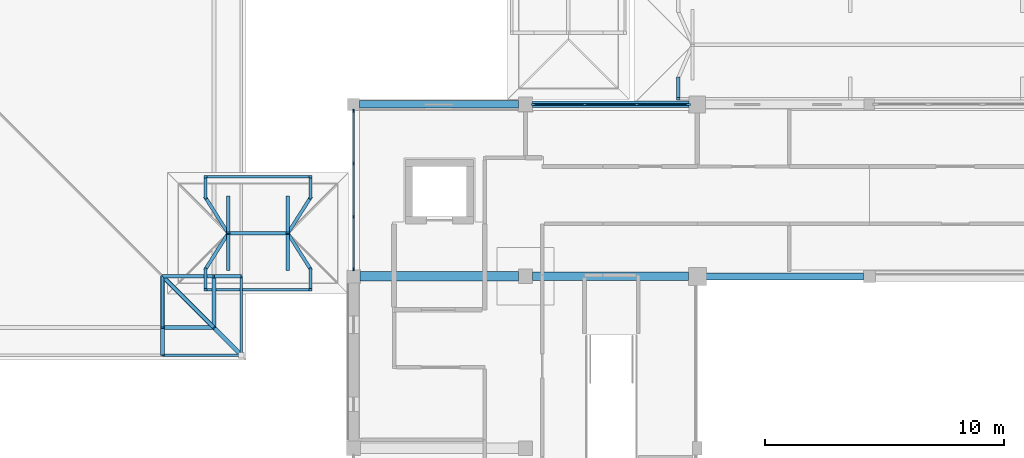
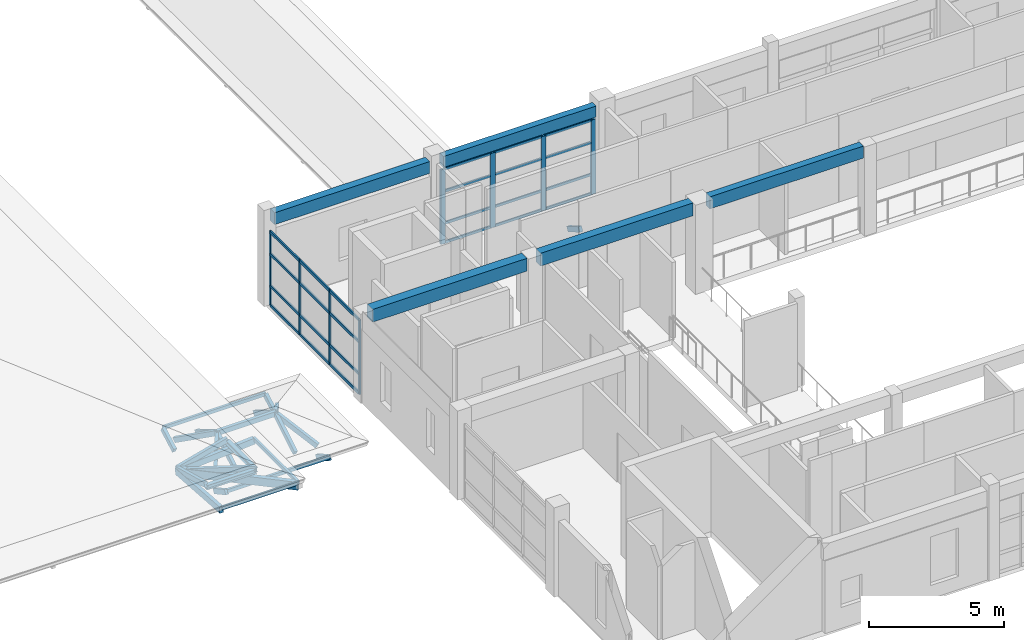
# One storey, part 7 of 110: 58 members, 5 beams, 2 elements without a shape of their own.
"""IFC4 building model written with IfcOpenShell, lengths in metres."""

from ifc_helpers import new_model, si_unit, direction, frame, origin, origin_2d, place, context, subcontext, project, spatial, rectangle, hollow_rectangle, i_section, extrude, material, material_profile, profile_set, type_object, element, aggregate, save


model = new_model("IFC4")

# Units and contexts
model_context = context("Model", 3, precision=1e-05, world=origin(), true_north=direction((0.0, 1.0)))
body_context = subcontext(model_context, "Body", "Model", "MODEL_VIEW")
ifc_project = project(units=[si_unit("LENGTHUNIT", "METRE"), si_unit("AREAUNIT", "SQUARE_METRE"), si_unit("VOLUMEUNIT", "CUBIC_METRE"), si_unit("PLANEANGLEUNIT", "RADIAN"), si_unit("MASSUNIT", "GRAM", prefix="KILO")], contexts=[model_context])

# Site, building, storey
site_placement = place(None, origin())
site = spatial("IfcSite", under=ifc_project, at=site_placement, CompositionType="ELEMENT")
building_placement = place(site_placement, origin())
building = spatial("IfcBuilding", under=site, at=building_placement, Name="Steenspoor Specialist Clinic", CompositionType="ELEMENT")
storey_placement = place(building_placement, frame((0.0, 0.0, 4.800048828125)))
storey = spatial("IfcBuildingStorey", under=building, at=storey_placement, Name="L01", CompositionType="ELEMENT", Elevation=4.800048828125)

# Beams
ifc_material_1 = material(Name="Concrete C35/45", Category="concrete")
ifc_material_profile_1 = material_profile(ifc_material_1, rectangle(XDim=0.300048828125, YDim=0.550048828125, at=origin_2d()), Name="RC-BM-300X550")
ifc_profile_set_1 = profile_set([ifc_material_profile_1], Name="Concrete C35/45")
beam_type_1 = type_object("IfcBeamType", Name="BM-RC-300X550", PredefinedType="BEAM", material=ifc_profile_set_1)
beam_1_placement = place(storey_placement, frame((59.969970703125, 34.64990234375, 3.760009765625), z_axis=(1.0, 0.0, 0.0), x_axis=(0.0, 1.0, 0.0)))
element("IfcBeam", 1, at=beam_1_placement, inside=storey, type_object=beam_type_1, Name="BM-V1-L01-X0136", PredefinedType="BEAM", context=body_context, shape_type="SweptSolid", body=[
    extrude(rectangle(XDim=0.300048828125, YDim=0.550048828125, at=origin_2d()), origin(), (0.0, 0.0, 1.0), 6.5849609375),
])
ifc_material_profile_2 = material_profile(ifc_material_1, rectangle(XDim=0.35009765625, YDim=0.580078125, at=origin_2d()), Name="RC-BM-350X580")
ifc_profile_set_2 = profile_set([ifc_material_profile_2], Name="Concrete C35/45")
beam_type_2 = type_object("IfcBeamType", Name="BM-RC-350X580", PredefinedType="BEAM", material=ifc_profile_set_2)
beam_2_placement = place(storey_placement, frame((52.695068359375, 34.64990234375, 3.744873046875), z_axis=(1.0, 0.0, 0.0), x_axis=(0.0, 1.0, 0.0)))
element("IfcBeam", 2, at=beam_2_placement, inside=storey, type_object=beam_type_2, Name="BM-V1-L01-X0135", PredefinedType="BEAM", context=body_context, shape_type="SweptSolid", body=[
    extrude(rectangle(XDim=0.35009765625, YDim=0.580078125, at=origin_2d()), origin(), (0.0, 0.0, 1.0), 6.534912109375),
])
ifc_material_profile_3 = material_profile(ifc_material_1, rectangle(XDim=0.39990234375, YDim=0.580078125, at=origin_2d()), Name="RC-BM-400X580")
ifc_profile_set_3 = profile_set([ifc_material_profile_3], Name="Concrete C35/45")
beam_type_3 = type_object("IfcBeamType", Name="BM-RC-400X580", PredefinedType="BEAM", material=ifc_profile_set_3)
beam_3_placement = place(storey_placement, frame((45.469970703125, 34.64990234375, 3.744873046875), z_axis=(1.0, 0.0, 0.0), x_axis=(0.0, 1.0, 0.0)))
element("IfcBeam", 3, at=beam_3_placement, inside=storey, type_object=beam_type_3, Name="BM-V1-L01-X0134", PredefinedType="BEAM", context=body_context, shape_type="SweptSolid", body=[
    extrude(rectangle(XDim=0.39990234375, YDim=0.580078125, at=origin_2d()), origin(), (0.0, 0.0, 1.0), 6.635009765625),
])

# Curtain wall, members
ifc_material_2 = material(Name="Thermally broken aluminium and low-emissivity glass", Category="aluminium")
curtain_wall_type_1 = type_object("IfcCurtainWallType", Name="CW-WLK-360X340", PredefinedType="USERDEFINED", material=ifc_material_2)
curtain_wall_1_placement = place(storey_placement, origin())
curtain_wall_1 = element("IfcCurtainWall", 4, at=curtain_wall_1_placement, inside=storey, type_object=curtain_wall_type_1, Name="Unitised Curtain Wall CW-V1-L01-022", ObjectType="UNITISED GLAZING", PredefinedType="USERDEFINED")
ifc_material_3 = material(Name="Thermally broken aluminium 6063-T6", Category="aluminium")
ifc_material_profile_4 = material_profile(ifc_material_3, rectangle(XDim=0.06005859375, YDim=0.135009765625, at=origin_2d()), Name="CWM-60X135")
ifc_profile_set_4 = profile_set([ifc_material_profile_4], Name="Thermally broken aluminium 6063-T6")
member_type_1 = type_object("IfcMemberType", Name="CW-MULL-60X135", PredefinedType="MULLION", material=ifc_profile_set_4)
member_1_placement = place(storey_placement, frame((45.199951171875, 34.955078125, 0.0), z_axis=(0.0, 0.0, 1.0), x_axis=(-1.0, 0.0, 0.0)))
member_1 = element("IfcMember", 5, at=member_1_placement, type_object=member_type_1, Name="CW-22 mullion 1", PredefinedType="MULLION", context=body_context, shape_type="SweptSolid", body=[
    extrude(rectangle(XDim=0.06005859375, YDim=0.135009765625, at=origin_2d()), origin(), (0.0, 0.0, 1.0), 3.3798828125),
])
member_2_placement = place(storey_placement, frame((45.199951171875, 37.14990234375, 0.0), z_axis=(0.0, 0.0, 1.0), x_axis=(-1.0, 0.0, 0.0)))
member_2 = element("IfcMember", 6, at=member_2_placement, type_object=member_type_1, Name="CW-22 mullion 2", PredefinedType="MULLION", context=body_context, shape_type="SweptSolid", body=[
    extrude(rectangle(XDim=0.06005859375, YDim=0.135009765625, at=origin_2d()), origin(), (0.0, 0.0, 1.0), 3.3798828125),
])
member_3_placement = place(storey_placement, frame((45.199951171875, 39.375, 0.0), z_axis=(0.0, 0.0, 1.0), x_axis=(-1.0, 0.0, 0.0)))
member_3 = element("IfcMember", 7, at=member_3_placement, type_object=member_type_1, Name="CW-22 mullion 3", PredefinedType="MULLION", context=body_context, shape_type="SweptSolid", body=[
    extrude(rectangle(XDim=0.06005859375, YDim=0.135009765625, at=origin_2d()), origin(), (0.0, 0.0, 1.0), 3.3798828125),
])
member_4_placement = place(storey_placement, frame((45.199951171875, 41.570068359375, 0.0), z_axis=(0.0, 0.0, 1.0), x_axis=(-1.0, 0.0, 0.0)))
member_4 = element("IfcMember", 8, at=member_4_placement, type_object=member_type_1, Name="CW-22 mullion 4", PredefinedType="MULLION", context=body_context, shape_type="SweptSolid", body=[
    extrude(rectangle(XDim=0.06005859375, YDim=0.135009765625, at=origin_2d()), origin(), (0.0, 0.0, 1.0), 3.3798828125),
])

curtain_wall_type_2 = type_object("IfcCurtainWallType", Name="CW-STR-220X355", PredefinedType="USERDEFINED", material=ifc_material_2)
curtain_wall_2_placement = place(storey_placement, origin())
curtain_wall_2 = element("IfcCurtainWall", 9, at=curtain_wall_2_placement, inside=storey, type_object=curtain_wall_type_2, Name="Unitised Curtain Wall CW-V1-L01-023", ObjectType="UNITISED GLAZING", PredefinedType="USERDEFINED")
ifc_material_profile_5 = material_profile(ifc_material_3, rectangle(XDim=0.090087890625, YDim=0.199951171875, at=origin_2d()), Name="CWM-90X200")
ifc_profile_set_5 = profile_set([ifc_material_profile_5], Name="Thermally broken aluminium 6063-T6")
member_type_2 = type_object("IfcMemberType", Name="CW-MULL-90X200", PredefinedType="MULLION", material=ifc_profile_set_5)
member_5_placement = place(storey_placement, frame((52.7451171875, 41.85009765625, 0.0), z_axis=(0.0, 0.0, 1.0), x_axis=(0.0, 1.0, 0.0)))
member_5 = element("IfcMember", 10, at=member_5_placement, type_object=member_type_2, Name="CW-23 mullion 1", PredefinedType="MULLION", context=body_context, shape_type="SweptSolid", body=[
    extrude(rectangle(XDim=0.090087890625, YDim=0.199951171875, at=origin_2d()), origin(), (0.0, 0.0, 1.0), 3.3798828125),
])
member_6_placement = place(storey_placement, frame((54.88330078125, 41.85009765625, 0.0), z_axis=(0.0, 0.0, 1.0), x_axis=(0.0, 1.0, 0.0)))
member_6 = element("IfcMember", 11, at=member_6_placement, type_object=member_type_2, Name="CW-23 mullion 2", PredefinedType="MULLION", context=body_context, shape_type="SweptSolid", body=[
    extrude(rectangle(XDim=0.090087890625, YDim=0.199951171875, at=origin_2d()), origin(), (0.0, 0.0, 1.0), 3.3798828125),
])
member_7_placement = place(storey_placement, frame((57.066650390625, 41.85009765625, 0.0), z_axis=(0.0, 0.0, 1.0), x_axis=(0.0, 1.0, 0.0)))
member_7 = element("IfcMember", 12, at=member_7_placement, type_object=member_type_2, Name="CW-23 mullion 3", PredefinedType="MULLION", context=body_context, shape_type="SweptSolid", body=[
    extrude(rectangle(XDim=0.090087890625, YDim=0.199951171875, at=origin_2d()), origin(), (0.0, 0.0, 1.0), 3.3798828125),
])
member_8_placement = place(storey_placement, frame((59.205078125, 41.85009765625, 0.0), z_axis=(0.0, 0.0, 1.0), x_axis=(0.0, 1.0, 0.0)))
member_8 = element("IfcMember", 13, at=member_8_placement, type_object=member_type_2, Name="CW-23 mullion 4", PredefinedType="MULLION", context=body_context, shape_type="SweptSolid", body=[
    extrude(rectangle(XDim=0.090087890625, YDim=0.199951171875, at=origin_2d()), origin(), (0.0, 0.0, 1.0), 3.3798828125),
])
ifc_material_profile_6 = material_profile(ifc_material_3, rectangle(XDim=0.06005859375, YDim=0.114990234375, at=origin_2d()), Name="CWT-60X115")
ifc_profile_set_6 = profile_set([ifc_material_profile_6], Name="Thermally broken aluminium 6063-T6")
member_type_3 = type_object("IfcMemberType", Name="CW-TRAN-60X115", PredefinedType="USERDEFINED", material=ifc_profile_set_6)
member_9_placement = place(storey_placement, frame((52.7900390625, 41.85009765625, 0.030029296875), z_axis=(1.0, 0.0, 0.0), x_axis=(0.0, 1.0, 0.0)))
member_9 = element("IfcMember", 14, at=member_9_placement, type_object=member_type_3, Name="CW-23 transom 1.1", ObjectType="TRANSOM", PredefinedType="USERDEFINED", context=body_context, shape_type="SweptSolid", body=[
    extrude(rectangle(XDim=0.06005859375, YDim=0.114990234375, at=origin_2d()), origin(), (0.0, 0.0, 1.0), 2.04833984375),
])
member_10_placement = place(storey_placement, frame((52.7900390625, 41.85009765625, 0.89990234375), z_axis=(1.0, 0.0, 0.0), x_axis=(0.0, 1.0, 0.0)))
member_10 = element("IfcMember", 15, at=member_10_placement, type_object=member_type_3, Name="CW-23 transom 1.2", ObjectType="TRANSOM", PredefinedType="USERDEFINED", context=body_context, shape_type="SweptSolid", body=[
    extrude(rectangle(XDim=0.06005859375, YDim=0.114990234375, at=origin_2d()), origin(), (0.0, 0.0, 1.0), 2.04833984375),
])
member_11_placement = place(storey_placement, frame((52.7900390625, 41.85009765625, 2.349853515625), z_axis=(1.0, 0.0, 0.0), x_axis=(0.0, 1.0, 0.0)))
member_11 = element("IfcMember", 16, at=member_11_placement, type_object=member_type_3, Name="CW-23 transom 1.3", ObjectType="TRANSOM", PredefinedType="USERDEFINED", context=body_context, shape_type="SweptSolid", body=[
    extrude(rectangle(XDim=0.06005859375, YDim=0.114990234375, at=origin_2d()), origin(), (0.0, 0.0, 1.0), 2.04833984375),
])
member_12_placement = place(storey_placement, frame((52.7900390625, 41.85009765625, 3.349853515625), z_axis=(1.0, 0.0, 0.0), x_axis=(0.0, 1.0, 0.0)))
member_12 = element("IfcMember", 17, at=member_12_placement, type_object=member_type_3, Name="CW-23 transom 1.4", ObjectType="TRANSOM", PredefinedType="USERDEFINED", context=body_context, shape_type="SweptSolid", body=[
    extrude(rectangle(XDim=0.06005859375, YDim=0.114990234375, at=origin_2d()), origin(), (0.0, 0.0, 1.0), 2.04833984375),
])
member_13_placement = place(storey_placement, frame((54.92822265625, 41.85009765625, 0.030029296875), z_axis=(1.0, 0.0, 0.0), x_axis=(0.0, 1.0, 0.0)))
member_13 = element("IfcMember", 18, at=member_13_placement, type_object=member_type_3, Name="CW-23 transom 2.1", ObjectType="TRANSOM", PredefinedType="USERDEFINED", context=body_context, shape_type="SweptSolid", body=[
    extrude(rectangle(XDim=0.06005859375, YDim=0.114990234375, at=origin_2d()), origin(), (0.0, 0.0, 1.0), 2.093505859375),
])
member_14_placement = place(storey_placement, frame((54.92822265625, 41.85009765625, 0.89990234375), z_axis=(1.0, 0.0, 0.0), x_axis=(0.0, 1.0, 0.0)))
member_14 = element("IfcMember", 19, at=member_14_placement, type_object=member_type_3, Name="CW-23 transom 2.2", ObjectType="TRANSOM", PredefinedType="USERDEFINED", context=body_context, shape_type="SweptSolid", body=[
    extrude(rectangle(XDim=0.06005859375, YDim=0.114990234375, at=origin_2d()), origin(), (0.0, 0.0, 1.0), 2.093505859375),
])
member_15_placement = place(storey_placement, frame((54.92822265625, 41.85009765625, 2.349853515625), z_axis=(1.0, 0.0, 0.0), x_axis=(0.0, 1.0, 0.0)))
member_15 = element("IfcMember", 20, at=member_15_placement, type_object=member_type_3, Name="CW-23 transom 2.3", ObjectType="TRANSOM", PredefinedType="USERDEFINED", context=body_context, shape_type="SweptSolid", body=[
    extrude(rectangle(XDim=0.06005859375, YDim=0.114990234375, at=origin_2d()), origin(), (0.0, 0.0, 1.0), 2.093505859375),
])
member_16_placement = place(storey_placement, frame((54.92822265625, 41.85009765625, 3.349853515625), z_axis=(1.0, 0.0, 0.0), x_axis=(0.0, 1.0, 0.0)))
member_16 = element("IfcMember", 21, at=member_16_placement, type_object=member_type_3, Name="CW-23 transom 2.4", ObjectType="TRANSOM", PredefinedType="USERDEFINED", context=body_context, shape_type="SweptSolid", body=[
    extrude(rectangle(XDim=0.06005859375, YDim=0.114990234375, at=origin_2d()), origin(), (0.0, 0.0, 1.0), 2.093505859375),
])
member_17_placement = place(storey_placement, frame((57.111572265625, 41.85009765625, 0.030029296875), z_axis=(1.0, 0.0, 0.0), x_axis=(0.0, 1.0, 0.0)))
member_17 = element("IfcMember", 22, at=member_17_placement, type_object=member_type_3, Name="CW-23 transom 3.1", ObjectType="TRANSOM", PredefinedType="USERDEFINED", context=body_context, shape_type="SweptSolid", body=[
    extrude(rectangle(XDim=0.06005859375, YDim=0.114990234375, at=origin_2d()), origin(), (0.0, 0.0, 1.0), 2.04833984375),
])
member_18_placement = place(storey_placement, frame((57.111572265625, 41.85009765625, 0.89990234375), z_axis=(1.0, 0.0, 0.0), x_axis=(0.0, 1.0, 0.0)))
member_18 = element("IfcMember", 23, at=member_18_placement, type_object=member_type_3, Name="CW-23 transom 3.2", ObjectType="TRANSOM", PredefinedType="USERDEFINED", context=body_context, shape_type="SweptSolid", body=[
    extrude(rectangle(XDim=0.06005859375, YDim=0.114990234375, at=origin_2d()), origin(), (0.0, 0.0, 1.0), 2.04833984375),
])
member_19_placement = place(storey_placement, frame((57.111572265625, 41.85009765625, 2.349853515625), z_axis=(1.0, 0.0, 0.0), x_axis=(0.0, 1.0, 0.0)))
member_19 = element("IfcMember", 24, at=member_19_placement, type_object=member_type_3, Name="CW-23 transom 3.3", ObjectType="TRANSOM", PredefinedType="USERDEFINED", context=body_context, shape_type="SweptSolid", body=[
    extrude(rectangle(XDim=0.06005859375, YDim=0.114990234375, at=origin_2d()), origin(), (0.0, 0.0, 1.0), 2.04833984375),
])
member_20_placement = place(storey_placement, frame((57.111572265625, 41.85009765625, 3.349853515625), z_axis=(1.0, 0.0, 0.0), x_axis=(0.0, 1.0, 0.0)))
member_20 = element("IfcMember", 25, at=member_20_placement, type_object=member_type_3, Name="CW-23 transom 3.4", ObjectType="TRANSOM", PredefinedType="USERDEFINED", context=body_context, shape_type="SweptSolid", body=[
    extrude(rectangle(XDim=0.06005859375, YDim=0.114990234375, at=origin_2d()), origin(), (0.0, 0.0, 1.0), 2.04833984375),
])
aggregate(curtain_wall_2, [member_5, member_6, member_7, member_8, member_9, member_10, member_11, member_12, member_13, member_14, member_15, member_16, member_17, member_18, member_19, member_20])

# Member
ifc_material_profile_7 = material_profile(ifc_material_3, rectangle(XDim=0.06494140625, YDim=0.1298828125, at=origin_2d()), Name="CWT-65X130")
ifc_profile_set_7 = profile_set([ifc_material_profile_7], Name="Thermally broken aluminium 6063-T6")
member_type_4 = type_object("IfcMemberType", Name="CW-TRAN-65X130", PredefinedType="USERDEFINED", material=ifc_profile_set_7)
member_21_placement = place(storey_placement, frame((45.199951171875, 34.985107421875, 0.032470703125), z_axis=(0.0, 1.0, 0.0), x_axis=(-1.0, 0.0, 0.0)))
member_21 = element("IfcMember", 26, at=member_21_placement, type_object=member_type_4, Name="CW-22 transom 1.1", ObjectType="TRANSOM", PredefinedType="USERDEFINED", context=body_context, shape_type="SweptSolid", body=[
    extrude(rectangle(XDim=0.06494140625, YDim=0.1298828125, at=origin_2d()), origin(), (0.0, 0.0, 1.0), 2.135009765625),
])

member_22_placement = place(storey_placement, frame((45.199951171875, 34.985107421875, 0.89990234375), z_axis=(0.0, 1.0, 0.0), x_axis=(-1.0, 0.0, 0.0)))
member_22 = element("IfcMember", 27, at=member_22_placement, type_object=member_type_4, Name="CW-22 transom 1.2", ObjectType="TRANSOM", PredefinedType="USERDEFINED", context=body_context, shape_type="SweptSolid", body=[
    extrude(rectangle(XDim=0.06494140625, YDim=0.1298828125, at=origin_2d()), origin(), (0.0, 0.0, 1.0), 2.135009765625),
])

member_23_placement = place(storey_placement, frame((45.199951171875, 34.985107421875, 2.349853515625), z_axis=(0.0, 1.0, 0.0), x_axis=(-1.0, 0.0, 0.0)))
member_23 = element("IfcMember", 28, at=member_23_placement, type_object=member_type_4, Name="CW-22 transom 1.3", ObjectType="TRANSOM", PredefinedType="USERDEFINED", context=body_context, shape_type="SweptSolid", body=[
    extrude(rectangle(XDim=0.06494140625, YDim=0.1298828125, at=origin_2d()), origin(), (0.0, 0.0, 1.0), 2.135009765625),
])

member_24_placement = place(storey_placement, frame((45.199951171875, 34.985107421875, 3.347412109375), z_axis=(0.0, 1.0, 0.0), x_axis=(-1.0, 0.0, 0.0)))
member_24 = element("IfcMember", 29, at=member_24_placement, type_object=member_type_4, Name="CW-22 transom 1.4", ObjectType="TRANSOM", PredefinedType="USERDEFINED", context=body_context, shape_type="SweptSolid", body=[
    extrude(rectangle(XDim=0.06494140625, YDim=0.1298828125, at=origin_2d()), origin(), (0.0, 0.0, 1.0), 2.135009765625),
])

member_25_placement = place(storey_placement, frame((45.199951171875, 37.179931640625, 0.032470703125), z_axis=(0.0, 1.0, 0.0), x_axis=(-1.0, 0.0, 0.0)))
member_25 = element("IfcMember", 30, at=member_25_placement, type_object=member_type_4, Name="CW-22 transom 2.1", ObjectType="TRANSOM", PredefinedType="USERDEFINED", context=body_context, shape_type="SweptSolid", body=[
    extrude(rectangle(XDim=0.06494140625, YDim=0.1298828125, at=origin_2d()), origin(), (0.0, 0.0, 1.0), 2.1650390625),
])

member_26_placement = place(storey_placement, frame((45.199951171875, 37.179931640625, 0.89990234375), z_axis=(0.0, 1.0, 0.0), x_axis=(-1.0, 0.0, 0.0)))
member_26 = element("IfcMember", 31, at=member_26_placement, type_object=member_type_4, Name="CW-22 transom 2.2", ObjectType="TRANSOM", PredefinedType="USERDEFINED", context=body_context, shape_type="SweptSolid", body=[
    extrude(rectangle(XDim=0.06494140625, YDim=0.1298828125, at=origin_2d()), origin(), (0.0, 0.0, 1.0), 2.1650390625),
])

member_27_placement = place(storey_placement, frame((45.199951171875, 37.179931640625, 2.349853515625), z_axis=(0.0, 1.0, 0.0), x_axis=(-1.0, 0.0, 0.0)))
member_27 = element("IfcMember", 32, at=member_27_placement, type_object=member_type_4, Name="CW-22 transom 2.3", ObjectType="TRANSOM", PredefinedType="USERDEFINED", context=body_context, shape_type="SweptSolid", body=[
    extrude(rectangle(XDim=0.06494140625, YDim=0.1298828125, at=origin_2d()), origin(), (0.0, 0.0, 1.0), 2.1650390625),
])

member_28_placement = place(storey_placement, frame((45.199951171875, 37.179931640625, 3.347412109375), z_axis=(0.0, 1.0, 0.0), x_axis=(-1.0, 0.0, 0.0)))
member_28 = element("IfcMember", 33, at=member_28_placement, type_object=member_type_4, Name="CW-22 transom 2.4", ObjectType="TRANSOM", PredefinedType="USERDEFINED", context=body_context, shape_type="SweptSolid", body=[
    extrude(rectangle(XDim=0.06494140625, YDim=0.1298828125, at=origin_2d()), origin(), (0.0, 0.0, 1.0), 2.1650390625),
])

member_29_placement = place(storey_placement, frame((45.199951171875, 39.405029296875, 0.032470703125), z_axis=(0.0, 1.0, 0.0), x_axis=(-1.0, 0.0, 0.0)))
member_29 = element("IfcMember", 34, at=member_29_placement, type_object=member_type_4, Name="CW-22 transom 3.1", ObjectType="TRANSOM", PredefinedType="USERDEFINED", context=body_context, shape_type="SweptSolid", body=[
    extrude(rectangle(XDim=0.06494140625, YDim=0.1298828125, at=origin_2d()), origin(), (0.0, 0.0, 1.0), 2.135009765625),
])

member_30_placement = place(storey_placement, frame((45.199951171875, 39.405029296875, 0.89990234375), z_axis=(0.0, 1.0, 0.0), x_axis=(-1.0, 0.0, 0.0)))
member_30 = element("IfcMember", 35, at=member_30_placement, type_object=member_type_4, Name="CW-22 transom 3.2", ObjectType="TRANSOM", PredefinedType="USERDEFINED", context=body_context, shape_type="SweptSolid", body=[
    extrude(rectangle(XDim=0.06494140625, YDim=0.1298828125, at=origin_2d()), origin(), (0.0, 0.0, 1.0), 2.135009765625),
])

member_31_placement = place(storey_placement, frame((45.199951171875, 39.405029296875, 2.349853515625), z_axis=(0.0, 1.0, 0.0), x_axis=(-1.0, 0.0, 0.0)))
member_31 = element("IfcMember", 36, at=member_31_placement, type_object=member_type_4, Name="CW-22 transom 3.3", ObjectType="TRANSOM", PredefinedType="USERDEFINED", context=body_context, shape_type="SweptSolid", body=[
    extrude(rectangle(XDim=0.06494140625, YDim=0.1298828125, at=origin_2d()), origin(), (0.0, 0.0, 1.0), 2.135009765625),
])

member_32_placement = place(storey_placement, frame((45.199951171875, 39.405029296875, 3.347412109375), z_axis=(0.0, 1.0, 0.0), x_axis=(-1.0, 0.0, 0.0)))
member_32 = element("IfcMember", 37, at=member_32_placement, type_object=member_type_4, Name="CW-22 transom 3.4", ObjectType="TRANSOM", PredefinedType="USERDEFINED", context=body_context, shape_type="SweptSolid", body=[
    extrude(rectangle(XDim=0.06494140625, YDim=0.1298828125, at=origin_2d()), origin(), (0.0, 0.0, 1.0), 2.135009765625),
])

aggregate(curtain_wall_1, [member_1, member_2, member_3, member_4, member_21, member_22, member_23, member_24, member_25, member_26, member_27, member_28, member_29, member_30, member_31, member_32])

# Members
ifc_material_4 = material(Name="Steel A500 Grade C", Category="steel")
ifc_material_profile_8 = material_profile(ifc_material_4, hollow_rectangle(XDim=0.1015625, YDim=0.15234375, WallThickness=0.005859375, at=origin_2d()), Name="HSS152X102X6.4")
ifc_profile_set_8 = profile_set([ifc_material_profile_8], Name="Steel A500 Grade C")
member_type_5 = type_object("IfcMemberType", Name="MEM-PURLIN-H152", PredefinedType="PURLIN", material=ifc_profile_set_8)
member_33_placement = place(storey_placement, frame((37.199951171875, 31.35009765625, -0.195068359375), z_axis=(1.0, 0.0, 0.0), x_axis=(0.0, 1.0, 0.0)))
element("IfcMember", 38, at=member_33_placement, inside=storey, type_object=member_type_5, Name="ROOF TRUSS Eave Fascia 150", PredefinedType="PURLIN", context=body_context, shape_type="SweptSolid", body=[
    extrude(hollow_rectangle(XDim=0.1015625, YDim=0.15234375, WallThickness=0.005859375, at=origin_2d()), origin(), (0.0, 0.0, 1.0), 3.300048828125),
])
member_34_placement = place(storey_placement, frame((40.5, 31.35009765625, -0.195068359375), z_axis=(0.0, 1.0, 0.0), x_axis=(-1.0, 0.0, 0.0)))
element("IfcMember", 39, at=member_34_placement, inside=storey, type_object=member_type_5, Name="ROOF TRUSS Eave Fascia 160", PredefinedType="PURLIN", context=body_context, shape_type="SweptSolid", body=[
    extrude(hollow_rectangle(XDim=0.1015625, YDim=0.15234375, WallThickness=0.005859375, at=origin_2d()), origin(), (0.0, 0.0, 1.0), 3.2998046875),
])
for number, where, z_axis, x_axis, name in (
    (40, (39.0, 34.080078125, -1.699951171875), (1.0, 0.0, 0.0), (0.0, 1.0, 0.0), "Walkway Fascia WK3 580"),
    (41, (39.0, 38.820068359375, -1.699951171875), (1.0, 0.0, 0.0), (0.0, 1.0, 0.0), "Walkway Fascia WK3 581"),
):
    element("IfcMember", number, at=place(storey_placement, frame(where, z_axis=z_axis, x_axis=x_axis)), inside=storey, type_object=member_type_5, Name=name, PredefinedType="PURLIN", context=body_context, shape_type="SweptSolid", body=[
        extrude(hollow_rectangle(XDim=0.1015625, YDim=0.15234375, WallThickness=0.005859375, at=origin_2d()), origin(), (0.0, 0.0, 1.0), 4.39990234375),
    ])
ifc_material_5 = material(Name="Steel A992 Grade 50", Category="steel")
ifc_material_profile_9 = material_profile(ifc_material_5, i_section(OverallWidth=0.1650390625, OverallDepth=0.200927734375, WebThickness=0.006103515625, FlangeThickness=0.01025390625, at=origin_2d()), Name="W200X36")
ifc_profile_set_9 = profile_set([ifc_material_profile_9], Name="Steel A992 Grade 50")
member_type_6 = type_object("IfcMemberType", Name="MEM-PURLIN-W200", PredefinedType="PURLIN", material=ifc_profile_set_9)
member_35_placement = place(storey_placement, frame((37.199951171875, 32.5, 0.0703125), z_axis=(1.0, 0.0, 0.0), x_axis=(0.0, 1.0, 0.0)))
element("IfcMember", 42, at=member_35_placement, inside=storey, type_object=member_type_6, Name="ROOF TRUSS Knuckle Purlin 173", PredefinedType="PURLIN", context=body_context, shape_type="SweptSolid", body=[
    extrude(i_section(OverallWidth=0.1650390625, OverallDepth=0.200927734375, WebThickness=0.006103515625, FlangeThickness=0.01025390625, at=origin_2d()), origin(), (0.0, 0.0, 1.0), 2.150146484375),
])
member_36_placement = place(storey_placement, frame((39.35009765625, 32.5, 0.0703125), z_axis=(0.0, 1.0, 0.0), x_axis=(-1.0, 0.0, 0.0)))
element("IfcMember", 43, at=member_36_placement, inside=storey, type_object=member_type_6, Name="ROOF TRUSS Knuckle Purlin 178", PredefinedType="PURLIN", context=body_context, shape_type="SweptSolid", body=[
    extrude(i_section(OverallWidth=0.1650390625, OverallDepth=0.200927734375, WebThickness=0.006103515625, FlangeThickness=0.01025390625, at=origin_2d()), origin(), (0.0, 0.0, 1.0), 2.14990234375),
])
ifc_material_6 = material(Name="Glulam GL28h", Category="wood")
ifc_material_profile_10 = material_profile(ifc_material_6, rectangle(XDim=0.139892578125, YDim=0.219970703125, at=origin_2d()), Name="GL28H-140X220")
ifc_profile_set_10 = profile_set([ifc_material_profile_10], Name="Glulam GL28h")
member_type_7 = type_object("IfcMemberType", Name="MEM-RAFTER-GL220", PredefinedType="RAFTER", material=ifc_profile_set_10)
member_37_placement = place(storey_placement, frame((37.199951171875, 34.64990234375, -0.40283203125), z_axis=(0.0, -0.965556448109, 0.260193669244), x_axis=(1.0, 0.0, 0.0)))
element("IfcMember", 44, at=member_37_placement, inside=storey, type_object=member_type_7, Name="ROOF TRUSS Knuckle Rafter V3 96", PredefinedType="RAFTER", context=body_context, shape_type="SweptSolid", body=[
    extrude(rectangle(XDim=0.139892578125, YDim=0.219970703125, at=origin_2d()), origin(), (0.0, 0.0, 1.0), 2.2265625),
])
member_38_placement = place(storey_placement, frame((37.199951171875, 34.64990234375, -0.40283203125), z_axis=(0.965563870152, 0.0, 0.260166125113), x_axis=(0.0, 1.0, 0.0)))
element("IfcMember", 45, at=member_38_placement, inside=storey, type_object=member_type_7, Name="ROOF TRUSS Knuckle Rafter V3 104", PredefinedType="RAFTER", context=body_context, shape_type="SweptSolid", body=[
    extrude(rectangle(XDim=0.139892578125, YDim=0.219970703125, at=origin_2d()), origin(), (0.0, 0.0, 1.0), 2.226806640625),
])
member_39_placement = place(storey_placement, frame((37.199951171875, 34.64990234375, -0.5), z_axis=(0.690267938304, -0.690189561111, 0.217183201662), x_axis=(0.707066633179, 0.707146926915, 0.0)))
element("IfcMember", 46, at=member_39_placement, inside=storey, type_object=member_type_7, Name="ROOF TRUSS Corner Knuckle Rafter V3 112", PredefinedType="RAFTER", context=body_context, shape_type="SweptSolid", body=[
    extrude(rectangle(XDim=0.139892578125, YDim=0.219970703125, at=origin_2d()), origin(), (0.0, 0.0, 1.0), 3.114990234375),
])
member_40_placement = place(storey_placement, frame((39.0, 34.949951171875, -2.215087890625), z_axis=(0.0, -0.878149761853, 0.478385823115), x_axis=(1.0, 0.0, 0.0)))
element("IfcMember", 47, at=member_40_placement, inside=storey, type_object=member_type_7, Name="Walkway Eave Outrigger WK3 405", PredefinedType="RAFTER", context=body_context, shape_type="SweptSolid", body=[
    extrude(rectangle(XDim=0.139892578125, YDim=0.219970703125, at=origin_2d()), origin(), (0.0, 0.0, 1.0), 0.990478515625),
])
member_41_placement = place(storey_placement, frame((39.0, 37.949951171875, -2.215087890625), z_axis=(0.0, 0.878206147477, 0.478282304224), x_axis=(-1.0, 0.0, 0.0)))
element("IfcMember", 48, at=member_41_placement, inside=storey, type_object=member_type_7, Name="Walkway Eave Outrigger WK3 406", PredefinedType="RAFTER", context=body_context, shape_type="SweptSolid", body=[
    extrude(rectangle(XDim=0.139892578125, YDim=0.219970703125, at=origin_2d()), origin(), (0.0, 0.0, 1.0), 0.99072265625),
])
member_42_placement = place(storey_placement, frame((43.39990234375, 34.949951171875, -2.215087890625), z_axis=(0.0, -0.878149761853, 0.478385823115), x_axis=(1.0, 0.0, 0.0)))
element("IfcMember", 49, at=member_42_placement, inside=storey, type_object=member_type_7, Name="Walkway Eave Outrigger WK3 407", PredefinedType="RAFTER", context=body_context, shape_type="SweptSolid", body=[
    extrude(rectangle(XDim=0.139892578125, YDim=0.219970703125, at=origin_2d()), origin(), (0.0, 0.0, 1.0), 0.990478515625),
])
member_43_placement = place(storey_placement, frame((43.39990234375, 37.949951171875, -2.215087890625), z_axis=(0.0, 0.878206147477, 0.478282304224), x_axis=(-1.0, 0.0, 0.0)))
element("IfcMember", 50, at=member_43_placement, inside=storey, type_object=member_type_7, Name="Walkway Eave Outrigger WK3 408", PredefinedType="RAFTER", context=body_context, shape_type="SweptSolid", body=[
    extrude(rectangle(XDim=0.139892578125, YDim=0.219970703125, at=origin_2d()), origin(), (0.0, 0.0, 1.0), 0.99072265625),
])
member_44_placement = place(storey_placement, frame((39.949951171875, 36.449951171875, -0.81884765625), z_axis=(1.0, 0.0, 0.0), x_axis=(0.0, 1.0, 0.0)))
element("IfcMember", 51, at=member_44_placement, inside=storey, type_object=member_type_7, Name="Walkway Ridge Rafter WK3", PredefinedType="RAFTER", context=body_context, shape_type="SweptSolid", body=[
    extrude(rectangle(XDim=0.139892578125, YDim=0.219970703125, at=origin_2d()), origin(), (0.0, 0.0, 1.0), 2.5),
])
for number, where, z_axis, x_axis, name in (
    (52, (39.949951171875, 34.949951171875, -1.715087890625), (0.0, 0.858440741445, 0.512912754206), (-1.0, 0.0, 0.0), "Walkway Rafter WK3"),
    (53, (39.949951171875, 37.949951171875, -1.715087890625), (0.0, -0.858440741445, 0.512912754206), (1.0, 0.0, 0.0), "Walkway Rafter WK3"),
    (54, (42.449951171875, 34.949951171875, -1.715087890625), (0.0, 0.858440741445, 0.512912754206), (-1.0, 0.0, 0.0), "Walkway Rafter WK3"),
    (55, (42.449951171875, 37.949951171875, -1.715087890625), (0.0, -0.858440741445, 0.512912754206), (1.0, 0.0, 0.0), "Walkway Rafter WK3"),
):
    element("IfcMember", number, at=place(storey_placement, frame(where, z_axis=z_axis, x_axis=x_axis)), inside=storey, type_object=member_type_7, Name=name, PredefinedType="RAFTER", context=body_context, shape_type="SweptSolid", body=[
        extrude(rectangle(XDim=0.139892578125, YDim=0.219970703125, at=origin_2d()), origin(), (0.0, 0.0, 1.0), 1.747314453125),
    ])
for number, where, z_axis, x_axis, name in (
    (56, (39.0, 34.949951171875, -1.715087890625), (0.477630603778, 0.754192348911, 0.450625018368), (-0.8448315064, 0.535032453028, 0.0), "Walkway Hip Rafter WK3"),
    (57, (39.0, 37.949951171875, -1.715087890625), (0.477630603778, -0.754192348911, 0.450625018368), (0.8448315064, 0.535032453028, 0.0), "Walkway Hip Rafter WK3"),
    (58, (43.39990234375, 34.949951171875, -1.715087890625), (-0.477630603778, 0.754192348911, 0.450625018368), (-0.8448315064, -0.535032453028, 0.0), "Walkway Hip Rafter WK3"),
    (59, (43.39990234375, 37.949951171875, -1.715087890625), (-0.477630603778, -0.754192348911, 0.450625018368), (0.8448315064, -0.535032453028, 0.0), "Walkway Hip Rafter WK3"),
):
    element("IfcMember", number, at=place(storey_placement, frame(where, z_axis=z_axis, x_axis=x_axis)), inside=storey, type_object=member_type_7, Name=name, PredefinedType="RAFTER", context=body_context, shape_type="SweptSolid", body=[
        extrude(rectangle(XDim=0.139892578125, YDim=0.219970703125, at=origin_2d()), origin(), (0.0, 0.0, 1.0), 1.98876953125),
    ])
member_45_placement = place(storey_placement, frame((58.800048828125, 42.949951171875, -2.114990234375), z_axis=(0.0, -0.865930570761, 0.500164219654), x_axis=(1.0, 0.0, 0.0)))
element("IfcMember", 60, at=member_45_placement, inside=storey, type_object=member_type_7, Name="Walkway Eave Outrigger WK5 427", PredefinedType="RAFTER", context=body_context, shape_type="SweptSolid", body=[
    extrude(rectangle(XDim=0.139892578125, YDim=0.219970703125, at=origin_2d()), origin(), (0.0, 0.0, 1.0), 1.004638671875),
])
ifc_material_profile_11 = material_profile(ifc_material_6, rectangle(XDim=0.159912109375, YDim=0.280029296875, at=origin_2d()), Name="GL28H-160X280")
ifc_profile_set_11 = profile_set([ifc_material_profile_11], Name="Glulam GL28h")
member_type_8 = type_object("IfcMemberType", Name="MEM-RAFTER-GL280", PredefinedType="RAFTER", material=ifc_profile_set_11)
member_46_placement = place(storey_placement, frame((37.199951171875, 34.64990234375, -0.5), z_axis=(0.0, -0.997518288162, 0.070407846027), x_axis=(1.0, 0.0, 0.0)))
element("IfcMember", 61, at=member_46_placement, inside=storey, type_object=member_type_8, Name="ROOF TRUSS Flared Eave Glulam Outrigger V3 95", PredefinedType="RAFTER", context=body_context, shape_type="SweptSolid", body=[
    extrude(rectangle(XDim=0.159912109375, YDim=0.280029296875, at=origin_2d()), origin(), (0.0, 0.0, 1.0), 3.30810546875),
])
member_47_placement = place(storey_placement, frame((37.199951171875, 34.64990234375, -0.5), z_axis=(0.997518653982, 0.0, 0.070402663009), x_axis=(0.0, 1.0, 0.0)))
element("IfcMember", 62, at=member_47_placement, inside=storey, type_object=member_type_8, Name="ROOF TRUSS Flared Eave Glulam Outrigger V3 103", PredefinedType="RAFTER", context=body_context, shape_type="SweptSolid", body=[
    extrude(rectangle(XDim=0.159912109375, YDim=0.280029296875, at=origin_2d()), origin(), (0.0, 0.0, 1.0), 3.308349609375),
])
ifc_material_profile_12 = material_profile(ifc_material_6, rectangle(XDim=0.179931640625, YDim=0.360107421875, at=origin_2d()), Name="GL28H-180X360")
ifc_profile_set_12 = profile_set([ifc_material_profile_12], Name="Glulam GL28h")
member_type_9 = type_object("IfcMemberType", Name="MEM-RAFTER-GL360", PredefinedType="RAFTER", material=ifc_profile_set_12)
member_48_placement = place(storey_placement, frame((37.199951171875, 34.64990234375, -0.5), z_axis=(0.706537408764, -0.706485138482, 0.041032171775), x_axis=(0.707080623533, 0.707132937873, 0.0)))
element("IfcMember", 63, at=member_48_placement, inside=storey, type_object=member_type_9, Name="ROOF TRUSS Corner Hip Outrigger V3 111", PredefinedType="RAFTER", context=body_context, shape_type="SweptSolid", body=[
    extrude(rectangle(XDim=0.179931640625, YDim=0.360107421875, at=origin_2d()), origin(), (0.0, 0.0, 1.0), 4.670654296875),
])

# Beams
ifc_material_profile_13 = material_profile(ifc_material_1, rectangle(XDim=0.280029296875, YDim=0.5, at=origin_2d()), Name="RC-SP-280X500")
ifc_profile_set_13 = profile_set([ifc_material_profile_13], Name="Concrete C35/45")
beam_type_4 = type_object("IfcBeamType", Name="SP-RC-280X500", PredefinedType="SPANDREL", material=ifc_profile_set_13)
beam_4_placement = place(storey_placement, frame((52.695068359375, 41.85009765625, 3.784912109375), z_axis=(1.0, 0.0, 0.0), x_axis=(0.0, 1.0, 0.0)))
element("IfcBeam", 64, at=beam_4_placement, inside=storey, type_object=beam_type_4, Name="BM-V1-L01-X0145", PredefinedType="SPANDREL", context=body_context, shape_type="SweptSolid", body=[
    extrude(rectangle(XDim=0.280029296875, YDim=0.5, at=origin_2d()), origin(), (0.0, 0.0, 1.0), 6.559814453125),
])
ifc_material_profile_14 = material_profile(ifc_material_1, rectangle(XDim=0.320068359375, YDim=0.5400390625, at=origin_2d()), Name="RC-SP-320X540")
ifc_profile_set_14 = profile_set([ifc_material_profile_14], Name="Concrete C35/45")
beam_type_5 = type_object("IfcBeamType", Name="SP-RC-320X540", PredefinedType="SPANDREL", material=ifc_profile_set_14)
beam_5_placement = place(storey_placement, frame((45.445068359375, 41.85009765625, 3.764892578125), z_axis=(1.0, 0.0, 0.0), x_axis=(0.0, 1.0, 0.0)))
element("IfcBeam", 65, at=beam_5_placement, inside=storey, type_object=beam_type_5, Name="BM-V1-L01-X0144", PredefinedType="SPANDREL", context=body_context, shape_type="SweptSolid", body=[
    extrude(rectangle(XDim=0.320068359375, YDim=0.5400390625, at=origin_2d()), origin(), (0.0, 0.0, 1.0), 6.659912109375),
])

save(model, "model.ifc")
